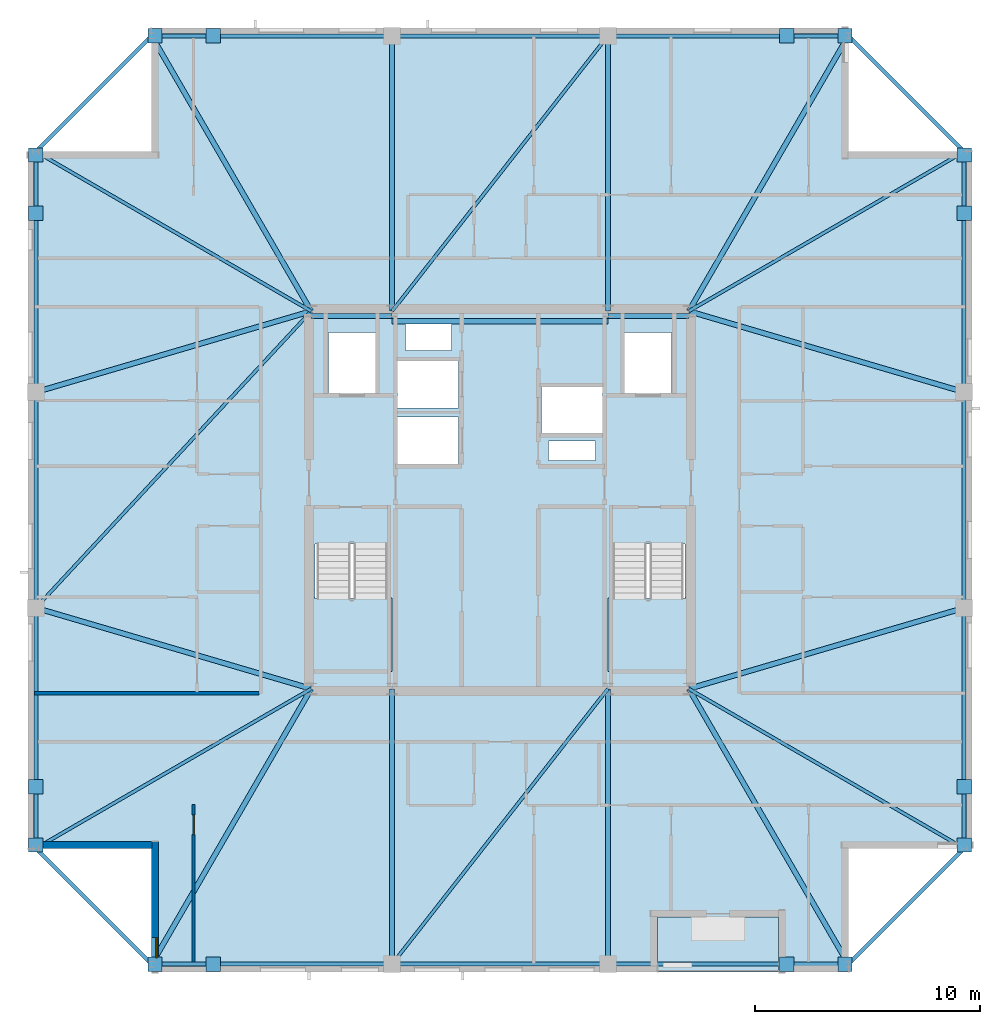
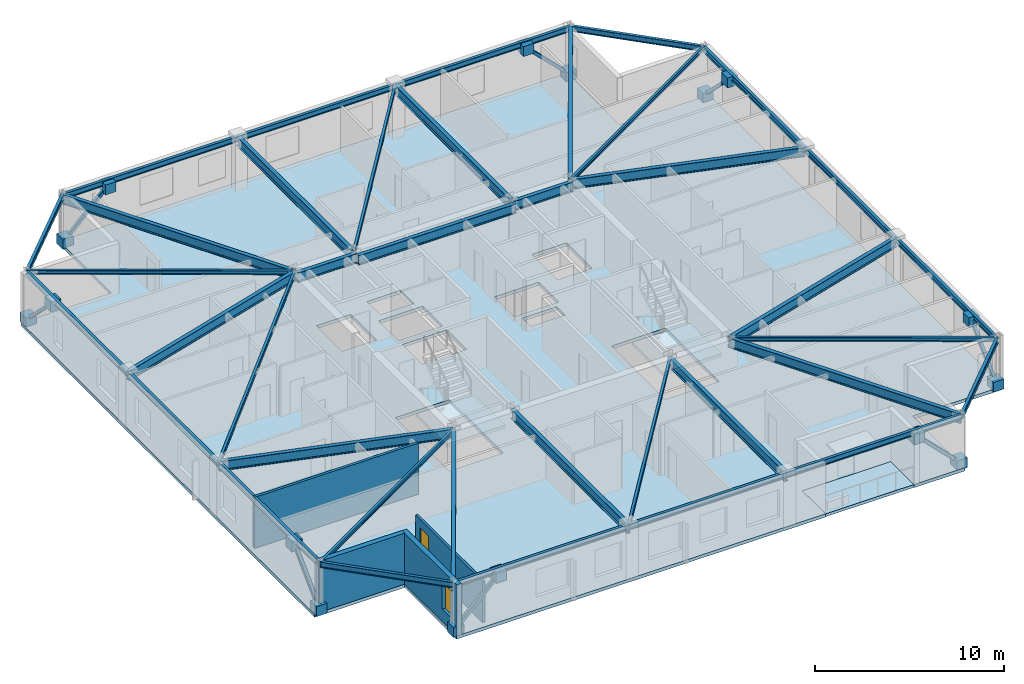
# One storey, part 6 of 15: 38 beams, 16 plates, 8 members, 4 slabs, 4 walls, 1 door, 1 window, 2 openings, 2 elements without a shape of their own.
"""IFC4 building model written with IfcOpenShell, lengths in metres."""

from ifc_helpers import new_model, si_unit, direction, frame, frame_2d, origin, origin_2d, place, context, subcontext, project, spatial, polyline, rectangle, hollow_rectangle, i_section, outline, extrude, material, layer, layer_set, material_profile, profile_set, type_object, element, fill, aggregate, save


model = new_model("IFC4")

# Units and contexts
model_context = context("Model", 3, precision=1e-05, world=origin(), true_north=direction((0.0, 1.0)))
body_context = subcontext(model_context, "Body", "Model", "MODEL_VIEW")
ifc_project = project(units=[si_unit("LENGTHUNIT", "METRE"), si_unit("AREAUNIT", "SQUARE_METRE"), si_unit("VOLUMEUNIT", "CUBIC_METRE"), si_unit("PLANEANGLEUNIT", "RADIAN"), si_unit("MASSUNIT", "GRAM", prefix="KILO")], contexts=[model_context])

# Site, building, storey
site_placement = place(None, origin())
site = spatial("IfcSite", under=ifc_project, at=site_placement, CompositionType="ELEMENT")
building_placement = place(site_placement, origin())
building = spatial("IfcBuilding", under=site, at=building_placement, Name="Cairnveth Concourse Tower", CompositionType="ELEMENT")
storey_placement = place(building_placement, frame((0.0, 0.0, 287.5)))
storey = spatial("IfcBuildingStorey", under=building, at=storey_placement, Name="L79", CompositionType="ELEMENT", Elevation=287.5)

# Beams
ifc_material_1 = material(Name="Steel Grade 350", Category="steel")
ifc_material_profile_1 = material_profile(ifc_material_1, i_section(OverallWidth=0.22802734375, OverallDepth=0.60693359375, WebThickness=0.01123046875, FlangeThickness=0.017333984375, FilletRadius=0.013916015625, at=origin_2d()), Name="610UB113")
ifc_profile_set_1 = profile_set([ifc_material_profile_1], Name="Steel Grade 350")
beam_type_1 = type_object("IfcBeamType", Name="CORE TIE BEAM 610UB113", PredefinedType="T_BEAM", material=ifc_profile_set_1)
for number, where, z_axis, x_axis, name in (
    (1, (43.60009765625, 47.179931640625, 2.986572265625), (1.0, 0.0, 0.0), (0.0, 1.0, 0.0), "Beam CT-N1 L79"),
    (2, (56.800048828125, 47.179931640625, 2.986572265625), (1.0, 0.0, 0.0), (0.0, 1.0, 0.0), "Beam CT-N3 L79"),
):
    element("IfcBeam", number, at=place(storey_placement, frame(where, z_axis=z_axis, x_axis=x_axis)), inside=storey, type_object=beam_type_1, Name=name, PredefinedType="T_BEAM", context=body_context, shape_type="SweptSolid", body=[
        extrude(i_section(OverallWidth=0.22802734375, OverallDepth=0.60693359375, WebThickness=0.01123046875, FlangeThickness=0.017333984375, FilletRadius=0.013916015625, at=origin_2d()), origin(), (0.0, 0.0, 1.0), 3.599853515625),
    ])
beam_1_placement = place(storey_placement, frame((47.199951171875, 46.949951171875, 2.986572265625), z_axis=(1.0, 0.0, 0.0), x_axis=(0.0, 1.0, 0.0)))
element("IfcBeam", 3, at=beam_1_placement, inside=storey, type_object=beam_type_1, Name="Beam CT-N2 L79", PredefinedType="T_BEAM", context=body_context, shape_type="SweptSolid", body=[
    extrude(i_section(OverallWidth=0.22802734375, OverallDepth=0.60693359375, WebThickness=0.01123046875, FlangeThickness=0.017333984375, FilletRadius=0.013916015625, at=origin_2d()), origin(), (0.0, 0.0, 1.0), 9.60009765625),
])
ifc_material_profile_2 = material_profile(ifc_material_1, i_section(OverallWidth=0.14599609375, OverallDepth=0.256103515625, WebThickness=0.00634765625, FlangeThickness=0.010986328125, FilletRadius=0.009033203125, at=origin_2d()), Name="250UB37.3")
ifc_profile_set_2 = profile_set([ifc_material_profile_2], Name="Steel Grade 350")
beam_type_2 = type_object("IfcBeamType", Name="ZONE 4 FLOOR JOIST 250UB37.3", PredefinedType="JOIST", material=ifc_profile_set_2)
for number, where, z_axis, x_axis, name in (
    (4, (31.35009765625, 23.5, 3.162109375), (0.86518141842, 0.501458984584, 0.0), (-0.501458984584, 0.86518141842, 0.0), "Beam FJ-CSW2 L79"),
    (5, (72.64990234375, 23.5, 3.162109375), (-0.86518141842, 0.501458984584, 0.0), (-0.501458984584, -0.86518141842, 0.0), "Beam FJ-CSE2 L79"),
    (6, (72.64990234375, 54.5, 3.162109375), (-0.86518141842, -0.501458984584, 0.0), (0.501458984584, -0.86518141842, 0.0), "Beam FJ-CNE2 L79"),
    (7, (31.35009765625, 54.5, 3.162109375), (0.86518141842, -0.501458984584, 0.0), (0.501458984584, 0.86518141842, 0.0), "Beam FJ-CNW2 L79"),
):
    element("IfcBeam", number, at=place(storey_placement, frame(where, z_axis=z_axis, x_axis=x_axis)), inside=storey, type_object=beam_type_2, Name=name, PredefinedType="JOIST", context=body_context, shape_type="SweptSolid", body=[
        extrude(i_section(OverallWidth=0.14599609375, OverallDepth=0.256103515625, WebThickness=0.00634765625, FlangeThickness=0.010986328125, FilletRadius=0.009033203125, at=origin_2d()), origin(), (0.0, 0.0, 1.0), 14.158935546875),
    ])
for number, where, z_axis, x_axis, name in (
    (8, (47.199951171875, 18.35009765625, 3.162109375), (0.616831762718, 0.787095023807, 0.0), (-0.787095023807, 0.616831762718, 0.0), "Beam FJ-S-M1 L79"),
    (9, (47.199951171875, 47.39990234375, 3.162109375), (0.616831762718, 0.787095023807, 0.0), (-0.787095023807, 0.616831762718, 0.0), "Beam FJ-N-M1 L79"),
):
    element("IfcBeam", number, at=place(storey_placement, frame(where, z_axis=z_axis, x_axis=x_axis)), inside=storey, type_object=beam_type_2, Name=name, PredefinedType="JOIST", context=body_context, shape_type="SweptSolid", body=[
        extrude(i_section(OverallWidth=0.14599609375, OverallDepth=0.256103515625, WebThickness=0.00634765625, FlangeThickness=0.010986328125, FilletRadius=0.009033203125, at=origin_2d()), origin(), (0.0, 0.0, 1.0), 15.5634765625),
    ])
beam_2_placement = place(storey_placement, frame((31.35009765625, 34.199951171875, 3.162109375), z_axis=(0.680239432161, 0.732989982833, 0.0), x_axis=(-0.732989982833, 0.680239432161, 0.0)))
element("IfcBeam", 10, at=beam_2_placement, inside=storey, type_object=beam_type_2, Name="Beam FJ-W-M1 L79", PredefinedType="JOIST", context=body_context, shape_type="SweptSolid", body=[
    extrude(i_section(OverallWidth=0.14599609375, OverallDepth=0.256103515625, WebThickness=0.00634765625, FlangeThickness=0.010986328125, FilletRadius=0.009033203125, at=origin_2d()), origin(), (0.0, 0.0, 1.0), 18.00830078125),
])

# Members
ifc_material_2 = material(Name="Steel C350L0 (350 MPa)", Category="steel")
ifc_material_profile_3 = material_profile(ifc_material_2, hollow_rectangle(XDim=0.199951171875, YDim=0.199951171875, WallThickness=0.012451171875, InnerFilletRadius=0.012939453125, OuterFilletRadius=0.02490234375, at=origin_2d()), Name="200x200x12.5SHS")
ifc_profile_set_3 = profile_set([ifc_material_profile_3], Name="Steel C350L0 (350 MPa)")
member_type = type_object("IfcMemberType", Name="ZONE 4 PIER BRACE 200X200X12.5SHS", PredefinedType="BRACE", material=ifc_profile_set_3)
for number, where, z_axis, x_axis, name in (
    (11, (36.64990234375, 18.35009765625, 0.25), (0.708469186186, 0.0, 0.705741746126), (0.0, 1.0, 0.0), "Structural Brace PB-S1 L79"),
    (12, (67.35009765625, 18.35009765625, 0.25), (-0.708469186186, 0.0, 0.705741746126), (0.0, -1.0, 0.0), "Structural Brace PB-S2 L79"),
    (13, (36.64990234375, 59.64990234375, 0.25), (0.708469186186, 0.0, 0.705741746126), (0.0, 1.0, 0.0), "Structural Brace PB-N1 L79"),
    (14, (67.35009765625, 59.64990234375, 0.25), (-0.708469186186, 0.0, 0.705741746126), (0.0, -1.0, 0.0), "Structural Brace PB-N2 L79"),
    (15, (31.35009765625, 23.64990234375, 0.25), (0.0, 0.708469186186, 0.705741746126), (-1.0, 0.0, 0.0), "Structural Brace PB-W1 L79"),
    (16, (31.35009765625, 54.35009765625, 0.25), (0.0, -0.708469186186, 0.705741746126), (1.0, 0.0, 0.0), "Structural Brace PB-W2 L79"),
    (17, (72.64990234375, 23.64990234375, 0.25), (0.0, 0.708469186186, 0.705741746126), (-1.0, 0.0, 0.0), "Structural Brace PB-E1 L79"),
    (18, (72.64990234375, 54.35009765625, 0.25), (0.0, -0.708469186186, 0.705741746126), (1.0, 0.0, 0.0), "Structural Brace PB-E2 L79"),
):
    element("IfcMember", number, at=place(storey_placement, frame(where, z_axis=z_axis, x_axis=x_axis)), inside=storey, type_object=member_type, Name=name, PredefinedType="BRACE", context=body_context, shape_type="SweptSolid", body=[
        extrude(hollow_rectangle(XDim=0.199951171875, YDim=0.199951171875, WallThickness=0.012451171875, InnerFilletRadius=0.012939453125, OuterFilletRadius=0.02490234375, at=origin_2d()), origin(), (0.0, 0.0, 1.0), 3.669921875),
    ])

# Beams
ifc_material_profile_4 = material_profile(ifc_material_1, i_section(OverallWidth=0.22900390625, OverallDepth=0.612060546875, WebThickness=0.011962890625, FlangeThickness=0.01953125, FilletRadius=0.013916015625, at=origin_2d()), Name="610UB125")
ifc_profile_set_4 = profile_set([ifc_material_profile_4], Name="Steel Grade 350")
beam_type_3 = type_object("IfcBeamType", Name="ZONE 4 RADIAL GIRDER 610UB125", PredefinedType="BEAM", material=ifc_profile_set_4)
for number, where, z_axis, x_axis, name in (
    (19, (47.199951171875, 18.35009765625, 2.98388671875), (0.0, 1.0, 0.0), (-1.0, 0.0, 0.0), "Beam RG-S1 L79"),
    (20, (56.800048828125, 18.35009765625, 2.98388671875), (0.0, 1.0, 0.0), (-1.0, 0.0, 0.0), "Beam RG-S2 L79"),
    (21, (47.199951171875, 47.39990234375, 2.98388671875), (0.0, 1.0, 0.0), (-1.0, 0.0, 0.0), "Beam RG-N1 L79"),
    (22, (56.800048828125, 47.39990234375, 2.98388671875), (0.0, 1.0, 0.0), (-1.0, 0.0, 0.0), "Beam RG-N2 L79"),
):
    element("IfcBeam", number, at=place(storey_placement, frame(where, z_axis=z_axis, x_axis=x_axis)), inside=storey, type_object=beam_type_3, Name=name, PredefinedType="BEAM", context=body_context, shape_type="SweptSolid", body=[
        extrude(i_section(OverallWidth=0.22900390625, OverallDepth=0.612060546875, WebThickness=0.011962890625, FlangeThickness=0.01953125, FilletRadius=0.013916015625, at=origin_2d()), origin(), (0.0, 0.0, 1.0), 12.25),
    ])
for number, where, z_axis, x_axis, name in (
    (23, (31.35009765625, 34.199951171875, 2.98388671875), (0.959430938842, -0.281943741893, 0.0), (0.281943741893, 0.959430938842, 0.0), "Beam RG-W1 L79"),
    (24, (31.35009765625, 43.800048828125, 2.98388671875), (0.959430938842, 0.281943741893, 0.0), (-0.281943741893, 0.959430938842, 0.0), "Beam RG-W2 L79"),
    (25, (60.39990234375, 30.60009765625, 2.98388671875), (0.959430938842, 0.281943741893, 0.0), (-0.281943741893, 0.959430938842, 0.0), "Beam RG-E1 L79"),
    (26, (60.39990234375, 47.39990234375, 2.98388671875), (0.959430938842, -0.281943741893, 0.0), (0.281943741893, 0.959430938842, 0.0), "Beam RG-E2 L79"),
):
    element("IfcBeam", number, at=place(storey_placement, frame(where, z_axis=z_axis, x_axis=x_axis)), inside=storey, type_object=beam_type_3, Name=name, PredefinedType="BEAM", context=body_context, shape_type="SweptSolid", body=[
        extrude(i_section(OverallWidth=0.22900390625, OverallDepth=0.612060546875, WebThickness=0.011962890625, FlangeThickness=0.01953125, FilletRadius=0.013916015625, at=origin_2d()), origin(), (0.0, 0.0, 1.0), 12.76806640625),
    ])
for number, where, z_axis, x_axis, name in (
    (27, (36.5, 18.35009765625, 2.98388671875), (0.501458984584, 0.86518141842, 0.0), (-0.86518141842, 0.501458984584, 0.0), "Beam RG-CSW L79"),
    (28, (67.5, 18.35009765625, 2.98388671875), (-0.501458984584, 0.86518141842, 0.0), (-0.86518141842, -0.501458984584, 0.0), "Beam RG-CSE L79"),
    (29, (67.5, 59.64990234375, 2.98388671875), (-0.501458984584, -0.86518141842, 0.0), (0.86518141842, -0.501458984584, 0.0), "Beam RG-CNE L79"),
    (30, (36.5, 59.64990234375, 2.98388671875), (0.501458984584, -0.86518141842, 0.0), (0.86518141842, 0.501458984584, 0.0), "Beam RG-CNW L79"),
):
    element("IfcBeam", number, at=place(storey_placement, frame(where, z_axis=z_axis, x_axis=x_axis)), inside=storey, type_object=beam_type_3, Name=name, PredefinedType="BEAM", context=body_context, shape_type="SweptSolid", body=[
        extrude(i_section(OverallWidth=0.22900390625, OverallDepth=0.612060546875, WebThickness=0.011962890625, FlangeThickness=0.01953125, FilletRadius=0.013916015625, at=origin_2d()), origin(), (0.0, 0.0, 1.0), 14.158935546875),
    ])
ifc_material_profile_5 = material_profile(ifc_material_1, i_section(OverallWidth=0.172119140625, OverallDepth=0.35888671875, WebThickness=0.008056640625, FlangeThickness=0.012939453125, FilletRadius=0.010986328125, at=origin_2d()), Name="360UB56.7")
ifc_profile_set_5 = profile_set([ifc_material_profile_5], Name="Steel Grade 350")
beam_type_4 = type_object("IfcBeamType", Name="ZONE 4 SPANDREL BEAM 360UB56.7", PredefinedType="SPANDREL", material=ifc_profile_set_5)
beam_3_placement = place(storey_placement, frame((36.5, 18.35009765625, 3.110595703125), z_axis=(1.0, 0.0, 0.0), x_axis=(0.0, 1.0, 0.0)))
element("IfcBeam", 31, at=beam_3_placement, inside=storey, type_object=beam_type_4, Name="Beam SP-S1 L79", PredefinedType="SPANDREL", context=body_context, shape_type="SweptSolid", body=[
    extrude(i_section(OverallWidth=0.172119140625, OverallDepth=0.35888671875, WebThickness=0.008056640625, FlangeThickness=0.012939453125, FilletRadius=0.010986328125, at=origin_2d()), origin(), (0.0, 0.0, 1.0), 10.699951171875),
])
beam_4_placement = place(storey_placement, frame((47.199951171875, 18.35009765625, 3.110595703125), z_axis=(1.0, 0.0, 0.0), x_axis=(0.0, 1.0, 0.0)))
element("IfcBeam", 32, at=beam_4_placement, inside=storey, type_object=beam_type_4, Name="Beam SP-S2 L79", PredefinedType="SPANDREL", context=body_context, shape_type="SweptSolid", body=[
    extrude(i_section(OverallWidth=0.172119140625, OverallDepth=0.35888671875, WebThickness=0.008056640625, FlangeThickness=0.012939453125, FilletRadius=0.010986328125, at=origin_2d()), origin(), (0.0, 0.0, 1.0), 9.60009765625),
])
for number, where, z_axis, x_axis, name in (
    (33, (56.800048828125, 18.35009765625, 3.110595703125), (1.0, 0.0, 0.0), (0.0, 1.0, 0.0), "Beam SP-S3 L79"),
    (34, (36.5, 59.64990234375, 3.110595703125), (1.0, 0.0, 0.0), (0.0, 1.0, 0.0), "Beam SP-N1 L79"),
):
    element("IfcBeam", number, at=place(storey_placement, frame(where, z_axis=z_axis, x_axis=x_axis)), inside=storey, type_object=beam_type_4, Name=name, PredefinedType="SPANDREL", context=body_context, shape_type="SweptSolid", body=[
        extrude(i_section(OverallWidth=0.172119140625, OverallDepth=0.35888671875, WebThickness=0.008056640625, FlangeThickness=0.012939453125, FilletRadius=0.010986328125, at=origin_2d()), origin(), (0.0, 0.0, 1.0), 10.699951171875),
    ])
beam_5_placement = place(storey_placement, frame((47.199951171875, 59.64990234375, 3.110595703125), z_axis=(1.0, 0.0, 0.0), x_axis=(0.0, 1.0, 0.0)))
element("IfcBeam", 35, at=beam_5_placement, inside=storey, type_object=beam_type_4, Name="Beam SP-N2 L79", PredefinedType="SPANDREL", context=body_context, shape_type="SweptSolid", body=[
    extrude(i_section(OverallWidth=0.172119140625, OverallDepth=0.35888671875, WebThickness=0.008056640625, FlangeThickness=0.012939453125, FilletRadius=0.010986328125, at=origin_2d()), origin(), (0.0, 0.0, 1.0), 9.60009765625),
])
for number, where, z_axis, x_axis, name in (
    (36, (56.800048828125, 59.64990234375, 3.110595703125), (1.0, 0.0, 0.0), (0.0, 1.0, 0.0), "Beam SP-N3 L79"),
    (37, (31.35009765625, 23.5, 3.110595703125), (0.0, 1.0, 0.0), (-1.0, 0.0, 0.0), "Beam SP-W1 L79"),
):
    element("IfcBeam", number, at=place(storey_placement, frame(where, z_axis=z_axis, x_axis=x_axis)), inside=storey, type_object=beam_type_4, Name=name, PredefinedType="SPANDREL", context=body_context, shape_type="SweptSolid", body=[
        extrude(i_section(OverallWidth=0.172119140625, OverallDepth=0.35888671875, WebThickness=0.008056640625, FlangeThickness=0.012939453125, FilletRadius=0.010986328125, at=origin_2d()), origin(), (0.0, 0.0, 1.0), 10.699951171875),
    ])
beam_6_placement = place(storey_placement, frame((31.35009765625, 34.199951171875, 3.110595703125), z_axis=(0.0, 1.0, 0.0), x_axis=(-1.0, 0.0, 0.0)))
element("IfcBeam", 38, at=beam_6_placement, inside=storey, type_object=beam_type_4, Name="Beam SP-W2 L79", PredefinedType="SPANDREL", context=body_context, shape_type="SweptSolid", body=[
    extrude(i_section(OverallWidth=0.172119140625, OverallDepth=0.35888671875, WebThickness=0.008056640625, FlangeThickness=0.012939453125, FilletRadius=0.010986328125, at=origin_2d()), origin(), (0.0, 0.0, 1.0), 9.60009765625),
])
for number, where, z_axis, x_axis, name in (
    (39, (31.35009765625, 43.800048828125, 3.110595703125), (0.0, 1.0, 0.0), (-1.0, 0.0, 0.0), "Beam SP-W3 L79"),
    (40, (72.64990234375, 23.5, 3.110595703125), (0.0, 1.0, 0.0), (-1.0, 0.0, 0.0), "Beam SP-E1 L79"),
):
    element("IfcBeam", number, at=place(storey_placement, frame(where, z_axis=z_axis, x_axis=x_axis)), inside=storey, type_object=beam_type_4, Name=name, PredefinedType="SPANDREL", context=body_context, shape_type="SweptSolid", body=[
        extrude(i_section(OverallWidth=0.172119140625, OverallDepth=0.35888671875, WebThickness=0.008056640625, FlangeThickness=0.012939453125, FilletRadius=0.010986328125, at=origin_2d()), origin(), (0.0, 0.0, 1.0), 10.699951171875),
    ])
beam_7_placement = place(storey_placement, frame((72.64990234375, 34.199951171875, 3.110595703125), z_axis=(0.0, 1.0, 0.0), x_axis=(-1.0, 0.0, 0.0)))
element("IfcBeam", 41, at=beam_7_placement, inside=storey, type_object=beam_type_4, Name="Beam SP-E2 L79", PredefinedType="SPANDREL", context=body_context, shape_type="SweptSolid", body=[
    extrude(i_section(OverallWidth=0.172119140625, OverallDepth=0.35888671875, WebThickness=0.008056640625, FlangeThickness=0.012939453125, FilletRadius=0.010986328125, at=origin_2d()), origin(), (0.0, 0.0, 1.0), 9.60009765625),
])
beam_8_placement = place(storey_placement, frame((72.64990234375, 43.800048828125, 3.110595703125), z_axis=(0.0, 1.0, 0.0), x_axis=(-1.0, 0.0, 0.0)))
element("IfcBeam", 42, at=beam_8_placement, inside=storey, type_object=beam_type_4, Name="Beam SP-E3 L79", PredefinedType="SPANDREL", context=body_context, shape_type="SweptSolid", body=[
    extrude(i_section(OverallWidth=0.172119140625, OverallDepth=0.35888671875, WebThickness=0.008056640625, FlangeThickness=0.012939453125, FilletRadius=0.010986328125, at=origin_2d()), origin(), (0.0, 0.0, 1.0), 10.699951171875),
])
for number, where, z_axis, x_axis, name in (
    (43, (31.35009765625, 23.5, 3.110595703125), (0.707106781187, -0.707106781187, 0.0), (0.707106781187, 0.707106781187, 0.0), "Beam SP-SW L79"),
    (44, (67.5, 18.35009765625, 3.110595703125), (0.707106781187, 0.707106781187, 0.0), (-0.707106781187, 0.707106781187, 0.0), "Beam SP-SE L79"),
    (45, (67.5, 59.64990234375, 3.110595703125), (0.707106781187, -0.707106781187, 0.0), (0.707106781187, 0.707106781187, 0.0), "Beam SP-NE L79"),
    (46, (31.35009765625, 54.5, 3.110595703125), (0.707106781187, 0.707106781187, 0.0), (-0.707106781187, 0.707106781187, 0.0), "Beam SP-NW L79"),
):
    element("IfcBeam", number, at=place(storey_placement, frame(where, z_axis=z_axis, x_axis=x_axis)), inside=storey, type_object=beam_type_4, Name=name, PredefinedType="SPANDREL", context=body_context, shape_type="SweptSolid", body=[
        extrude(i_section(OverallWidth=0.172119140625, OverallDepth=0.35888671875, WebThickness=0.008056640625, FlangeThickness=0.012939453125, FilletRadius=0.010986328125, at=origin_2d()), origin(), (0.0, 0.0, 1.0), 7.282958984375),
    ])

# Plates
ifc_layer_1 = layer(ifc_material_1, 0.031982421875)
ifc_layer_set_1 = layer_set([ifc_layer_1], Name="Steel Grade 350")
plate_type = type_object("IfcPlateType", Name="PERIMETER BRACE GUSSET PLATE 32", PredefinedType="USERDEFINED", material=ifc_layer_set_1)
for number, where, z_axis, x_axis, name in (
    (47, (36.64990234375, 18.35009765625, -0.06982421875), (0.0, 0.0, 1.0), (1.0, 0.0, 0.0), "Structural Node Plate 1401 L79"),
    (48, (39.25, 18.35009765625, 2.52001953125), (0.0, 0.0, 1.0), (1.0, 0.0, 0.0), "Structural Node Plate 1402 L79"),
    (49, (67.35009765625, 18.35009765625, -0.06982421875), (0.0, 0.0, 1.0), (1.0, 0.0, 0.0), "Structural Node Plate 1403 L79"),
    (50, (64.75, 18.35009765625, 2.52001953125), (0.0, 0.0, 1.0), (1.0, 0.0, 0.0), "Structural Node Plate 1404 L79"),
    (51, (36.64990234375, 59.64990234375, -0.06982421875), (0.0, 0.0, 1.0), (1.0, 0.0, 0.0), "Structural Node Plate 1405 L79"),
    (52, (39.25, 59.64990234375, 2.52001953125), (0.0, 0.0, 1.0), (1.0, 0.0, 0.0), "Structural Node Plate 1406 L79"),
    (53, (67.35009765625, 59.64990234375, -0.06982421875), (0.0, 0.0, 1.0), (1.0, 0.0, 0.0), "Structural Node Plate 1407 L79"),
    (54, (64.75, 59.64990234375, 2.52001953125), (0.0, 0.0, 1.0), (1.0, 0.0, 0.0), "Structural Node Plate 1408 L79"),
    (55, (31.35009765625, 23.64990234375, -0.06982421875), (0.0, 0.0, 1.0), (1.0, 0.0, 0.0), "Structural Node Plate 1409 L79"),
    (56, (31.35009765625, 26.25, 2.52001953125), (0.0, 0.0, 1.0), (1.0, 0.0, 0.0), "Structural Node Plate 1410 L79"),
    (57, (31.35009765625, 54.35009765625, -0.06982421875), (0.0, 0.0, 1.0), (1.0, 0.0, 0.0), "Structural Node Plate 1411 L79"),
    (58, (31.35009765625, 51.75, 2.52001953125), (0.0, 0.0, 1.0), (1.0, 0.0, 0.0), "Structural Node Plate 1412 L79"),
    (59, (72.64990234375, 23.64990234375, -0.06982421875), (0.0, 0.0, 1.0), (1.0, 0.0, 0.0), "Structural Node Plate 1413 L79"),
    (60, (72.64990234375, 26.25, 2.52001953125), (0.0, 0.0, 1.0), (1.0, 0.0, 0.0), "Structural Node Plate 1414 L79"),
    (61, (72.64990234375, 54.35009765625, -0.06982421875), (0.0, 0.0, 1.0), (1.0, 0.0, 0.0), "Structural Node Plate 1415 L79"),
    (62, (72.64990234375, 51.75, 2.52001953125), (0.0, 0.0, 1.0), (1.0, 0.0, 0.0), "Structural Node Plate 1416 L79"),
):
    element("IfcPlate", number, at=place(storey_placement, frame(where, z_axis=z_axis, x_axis=x_axis)), inside=storey, type_object=plate_type, Name=name, ObjectType="GUSSET PLATE", PredefinedType="USERDEFINED", context=body_context, shape_type="SweptSolid", body=[
        extrude(rectangle(XDim=0.639892578125, YDim=0.639892578125, at=origin_2d()), origin(), (0.0, 0.0, 1.0), 0.639892578125),
    ])

# Slab
ifc_material_3 = material(Name="Concrete N50 (50 MPa)", Category="concrete")
ifc_layer_2 = layer(ifc_material_3, 0.18994140625)
ifc_layer_set_2 = layer_set([ifc_layer_2], Name="Concrete N50 (50 MPa)")
slab_type_1 = type_object("IfcSlabType", Name="SPIRAL OUTDOOR TERRACE SLAB 190", PredefinedType="FLOOR", material=ifc_layer_set_2)
slab_1_placement = place(storey_placement, frame((0.0, 0.0, -0.18994140625)))
element("IfcSlab", 63, at=slab_1_placement, inside=storey, type_object=slab_type_1, Name="Spiral Terrace Slab L79", PredefinedType="FLOOR", context=body_context, shape_type="SweptSolid", body=[
    extrude(outline(polyline([(59.0, 18.0), (64.39990234375, 18.0), (64.39990234375, 20.449951171875), (59.0, 20.449951171875), (59.0, 18.0)])), origin(), (0.0, 0.0, 1.0), 0.18994140625),
])

# Stair, slab
ifc_material_4 = material(Name="Precast concrete N50 (50 MPa)", Category="concrete")
stair_type = type_object("IfcStairType", Name="CORE DOG-LEG FIRE STAIR 1500", PredefinedType="HALF_TURN_STAIR", material=ifc_material_4)
stair_1_placement = place(storey_placement, origin())
stair_1 = element("IfcStair", 64, at=stair_1_placement, inside=storey, type_object=stair_type, Name="L79 Fire-Isolated Stair ST-1", PredefinedType="HALF_TURN_STAIR")
ifc_layer_3 = layer(ifc_material_3, 0.199951171875)
ifc_layer_set_3 = layer_set([ifc_layer_3], Name="Concrete N50 (50 MPa)")
slab_type_2 = type_object("IfcSlabType", Name="STAIR HALF LANDING SLAB 200", PredefinedType="LANDING", material=ifc_layer_set_3)
slab_2_placement = place(storey_placement, frame((0.0, 0.0, 1.550048828125)))
slab_2 = element("IfcSlab", 65, at=slab_2_placement, type_object=slab_type_2, Name="ST-1 landing 1", PredefinedType="LANDING", context=body_context, shape_type="SweptSolid", body=[
    extrude(outline(polyline([(43.6201171875, 34.639892578125), (43.6201171875, 31.3701171875), (47.199951171875, 31.3701171875), (47.199951171875, 34.639892578125), (43.6201171875, 34.639892578125)])), origin(), (0.0, 0.0, 1.0), 0.199951171875),
])
aggregate(stair_1, [slab_2])

stair_2_placement = place(storey_placement, origin())
stair_2 = element("IfcStair", 66, at=stair_2_placement, inside=storey, type_object=stair_type, Name="L79 Fire-Isolated Stair ST-2", PredefinedType="HALF_TURN_STAIR")
slab_3_placement = place(storey_placement, frame((0.0, 0.0, 1.550048828125)))
slab_3 = element("IfcSlab", 67, at=slab_3_placement, type_object=slab_type_2, Name="ST-2 landing 1", PredefinedType="LANDING", context=body_context, shape_type="SweptSolid", body=[
    extrude(outline(polyline([(56.800048828125, 34.639892578125), (56.800048828125, 31.3701171875), (60.3798828125, 31.3701171875), (60.3798828125, 34.639892578125), (56.800048828125, 34.639892578125)])), origin(), (0.0, 0.0, 1.0), 0.199951171875),
])
aggregate(stair_2, [slab_3])

# Slab
ifc_layer_4 = layer(ifc_material_3, 0.2099609375)
ifc_layer_set_4 = layer_set([ifc_layer_4], Name="Concrete N50 (50 MPa)")
slab_type_3 = type_object("IfcSlabType", Name="UPPER TOWER COMPOSITE SLAB 210", PredefinedType="FLOOR", material=ifc_layer_set_4)
slab_4_placement = place(storey_placement, frame((0.0, 0.0, -0.2099609375)))
element("IfcSlab", 68, at=slab_4_placement, inside=storey, type_object=slab_type_3, Name="Tower Floor Slab L79", PredefinedType="FLOOR", context=body_context, shape_type="SweptSolid", body=[
    extrude(outline(polyline([(59.0, 18.0), (59.0, 20.449951171875), (64.39990234375, 20.449951171875), (64.39990234375, 18.0), (67.5, 18.0), (67.5, 23.5), (73.0, 23.5), (73.0, 54.5), (67.5, 54.5), (67.5, 60.0), (36.5, 60.0), (36.5, 54.5), (31.0, 54.5), (31.0, 23.5), (36.5, 23.5), (36.5, 18.0), (59.0, 18.0)]), holes=[polyline([(43.760009765625, 31.360107421875), (47.06005859375, 31.360107421875), (47.06005859375, 37.0400390625), (43.760009765625, 37.0400390625), (43.760009765625, 31.360107421875)]), polyline([(56.93994140625, 31.360107421875), (60.239990234375, 31.360107421875), (60.239990234375, 37.0400390625), (56.93994140625, 37.0400390625), (56.93994140625, 31.360107421875)]), polyline([(44.3701171875, 43.75), (46.469970703125, 43.75), (46.469970703125, 46.449951171875), (44.3701171875, 46.449951171875), (44.3701171875, 43.75)]), polyline([(57.530029296875, 43.75), (59.6298828125, 43.75), (59.6298828125, 46.449951171875), (57.530029296875, 46.449951171875), (57.530029296875, 43.75)]), polyline([(47.449951171875, 40.60009765625), (50.14990234375, 40.60009765625), (50.14990234375, 42.699951171875), (47.449951171875, 42.699951171875), (47.449951171875, 40.60009765625)]), polyline([(47.449951171875, 43.10009765625), (50.14990234375, 43.10009765625), (50.14990234375, 45.199951171875), (47.449951171875, 45.199951171875), (47.449951171875, 43.10009765625)]), polyline([(53.85009765625, 41.949951171875), (56.550048828125, 41.949951171875), (56.550048828125, 44.050048828125), (53.85009765625, 44.050048828125), (53.85009765625, 41.949951171875)]), polyline([(47.800048828125, 45.64990234375), (49.85009765625, 45.64990234375), (49.85009765625, 47.050048828125), (47.800048828125, 47.050048828125), (47.800048828125, 45.64990234375)]), polyline([(54.14990234375, 40.75), (56.25, 40.75), (56.25, 41.6201171875), (54.14990234375, 41.6201171875), (54.14990234375, 40.75)])]), origin(), (0.0, 0.0, 1.0), 0.2099609375),
])

# Wall
ifc_material_5 = material(Name="Gypsum Plasterboard Partition", Category="gypsum")
ifc_layer_5 = layer(ifc_material_5, 0.159912109375)
ifc_layer_set_5 = layer_set([ifc_layer_5], Name="Gypsum Plasterboard Partition")
wall_type_1 = type_object("IfcWallType", Name="ACOUSTIC PARTY WALL 180", PredefinedType="PARTITIONING", material=ifc_layer_set_5)
wall_1_placement = place(storey_placement, frame((31.284912109375, 30.39990234375, 0.0), z_axis=(0.0, 0.0, 1.0), x_axis=(1.0, 0.0, 0.0)))
element("IfcWall", 69, at=wall_1_placement, inside=storey, type_object=wall_type_1, Name="Interior Wall IW-L79-037", PredefinedType="PARTITIONING", context=body_context, shape_type="SweptSolid", body=[
    extrude(rectangle(XDim=10.0, YDim=0.159912109375, at=frame_2d((5.0, 0.0))), origin(), (0.0, 0.0, 1.0), 3.2900390625),
])

# Wall, opening, door
ifc_layer_6 = layer(ifc_material_5, 0.139892578125)
ifc_layer_set_6 = layer_set([ifc_layer_6], Name="Gypsum Plasterboard Partition")
wall_type_2 = type_object("IfcWallType", Name="GYPSUM STUD PARTITION 140", PredefinedType="PARTITIONING", material=ifc_layer_set_6)
wall_2_placement = place(storey_placement, frame((38.3701171875, 18.3798828125, 0.0), z_axis=(0.0, 0.0, 1.0), x_axis=(0.0, 1.0, 0.0)))
wall_2 = element("IfcWall", 70, at=wall_2_placement, inside=storey, type_object=wall_type_2, Name="Interior Wall IW-L79-047", PredefinedType="PARTITIONING", context=body_context, shape_type="SweptSolid", body=[
    extrude(rectangle(XDim=7.080078125, YDim=0.139892578125, at=frame_2d((3.5400390625, 0.0))), origin(), (0.0, 0.0, 1.0), 2.653076171875),
])
opening_1_placement = place(wall_2_placement, frame((5.72998046875, 0.0, 0.0)))
opening_1 = element("IfcOpeningElement", 71, at=opening_1_placement, cuts=wall_2, Name="Opening ID18", PredefinedType="OPENING", context=body_context, shape_type="SweptSolid", body=[
    extrude(rectangle(XDim=0.8798828125, YDim=2.10009765625, at=frame_2d((0.43994140625, 1.050048828125))), frame((0.0, 0.079833984375, 0.0), z_axis=(0.0, -1.0, 0.0), x_axis=(1.0, 0.0, 0.0)), (0.0, 0.0, 1.0), 0.159912109375),
])
ifc_material_6 = material(Name="Solid Core Hardwood Timber Leaf", Category="wood")
door_type = type_object("IfcDoorType", Name="INTERIOR SINGLE DOOR 880X2100", OperationType="NOTDEFINED", PredefinedType="DOOR", material=ifc_material_6)
door_placement = place(opening_1_placement, origin())
door = element("IfcDoor", 72, at=door_placement, inside=storey, type_object=door_type, Name="L79PS1 Master Bedroom Door", OperationType="SINGLE_SWING_LEFT", OverallHeight=2.10009765625, OverallWidth=0.8798828125, PredefinedType="DOOR", context=body_context, shape_type="SweptSolid", body=[
    extrude(rectangle(XDim=0.8798828125, YDim=2.10009765625, at=frame_2d((0.43994140625, 1.050048828125))), frame((0.0, 0.02490234375, 0.0), z_axis=(0.0, -1.0, 0.0), x_axis=(1.0, 0.0, 0.0)), (0.0, 0.0, 1.0), 0.050048828125),
])
fill(opening_1, door)

# Wall, opening, window
ifc_material_7 = material(Name="Hawthorn Red-Ochre Fired Clay Brick Masonry", Category="masonry")
ifc_layer_7 = layer(ifc_material_7, 0.300048828125)
ifc_layer_set_7 = layer_set([ifc_layer_7], Name="Hawthorn Red-Ochre Fired Clay Brick Masonry")
wall_type_3 = type_object("IfcWallType", Name="ZONE 4 BRICK PIER SPANDREL WALL 300", PredefinedType="SOLIDWALL", material=ifc_layer_set_7)
wall_3_placement = place(storey_placement, frame((36.64990234375, 18.0, 0.0), z_axis=(0.0, 0.0, 1.0), x_axis=(0.0, 1.0, 0.0)))
wall_3 = element("IfcWall", 73, at=wall_3_placement, inside=storey, type_object=wall_type_3, Name="Exterior Wall EW-L79-S01", PredefinedType="SOLIDWALL", context=body_context, shape_type="SweptSolid", body=[
    extrude(rectangle(XDim=5.800048828125, YDim=0.300048828125, at=frame_2d((2.89990234375, 0.0))), origin(), (0.0, 0.0, 1.0), 3.2900390625),
])
opening_2_placement = place(wall_3_placement, frame((0.6298828125, 0.0, 0.800048828125)))
opening_2 = element("IfcOpeningElement", 74, at=opening_2_placement, cuts=wall_3, Name="Opening W13", PredefinedType="OPENING", context=body_context, shape_type="SweptSolid", body=[
    extrude(rectangle(XDim=0.89990234375, YDim=1.75, at=frame_2d((0.449951171875, 0.875))), frame((0.0, 0.159912109375, 0.0), z_axis=(0.0, -1.0, 0.0), x_axis=(1.0, 0.0, 0.0)), (0.0, 0.0, 1.0), 0.320068359375),
])
ifc_material_8 = material(Name="Double Glazed Low-E Clear Glass", Category="glass")
window_type = type_object("IfcWindowType", Name="DEEP-SET BEDROOM LANCET WINDOW 900X1750", PartitioningType="DOUBLE_PANEL_VERTICAL", PredefinedType="WINDOW", material=ifc_material_8)
window_placement = place(opening_2_placement, origin())
window = element("IfcWindow", 75, at=window_placement, inside=storey, type_object=window_type, Name="Dwelling Lancet Window L79-DW1", OverallHeight=1.75, OverallWidth=0.89990234375, PartitioningType="SINGLE_PANEL", PredefinedType="WINDOW", context=body_context, shape_type="SweptSolid", body=[
    extrude(rectangle(XDim=0.89990234375, YDim=1.75, at=frame_2d((0.449951171875, 0.875))), frame((0.0, -0.0400390625, 0.0), z_axis=(0.0, -1.0, 0.0), x_axis=(1.0, 0.0, 0.0)), (0.0, 0.0, 1.0), 0.06005859375),
])
fill(opening_2, window)

# Wall
wall_4_placement = place(storey_placement, frame((36.52197265625, 23.64990234375, 0.0), z_axis=(0.0, 0.0, 1.0), x_axis=(-1.0, 0.0, 0.0)))
element("IfcWall", 76, at=wall_4_placement, inside=storey, type_object=wall_type_3, Name="Exterior Wall EW-L79-S02", PredefinedType="SOLIDWALL", context=body_context, shape_type="SweptSolid", body=[
    extrude(rectangle(XDim=5.243896484375, YDim=0.300048828125, at=frame_2d((2.6220703125, 0.0))), origin(), (0.0, 0.0, 1.0), 3.2900390625),
])

save(model, "model.ifc")
